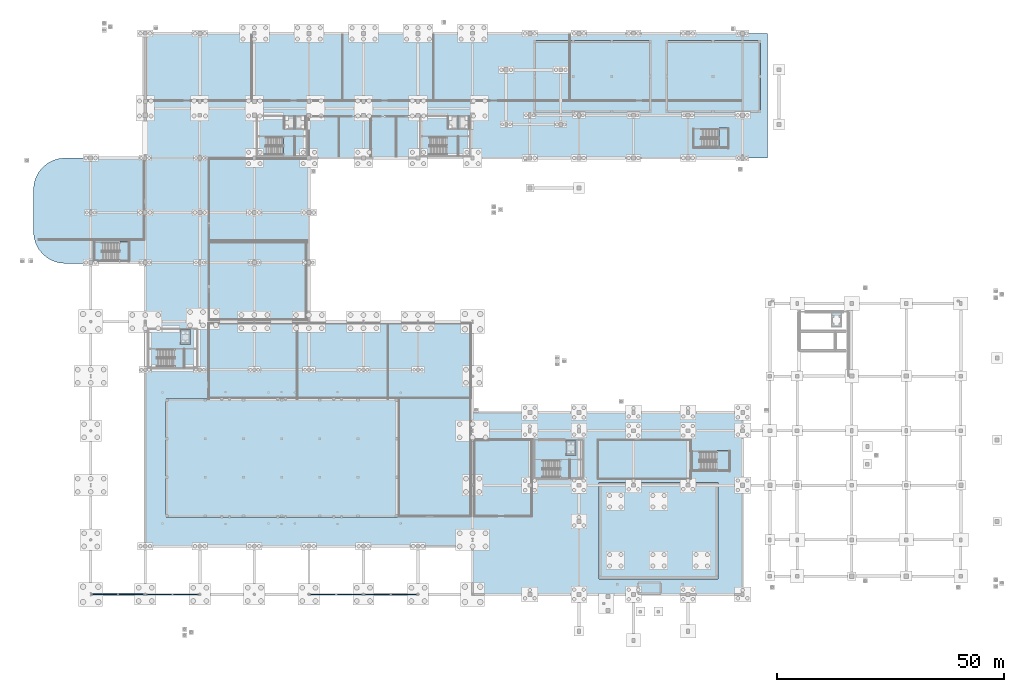
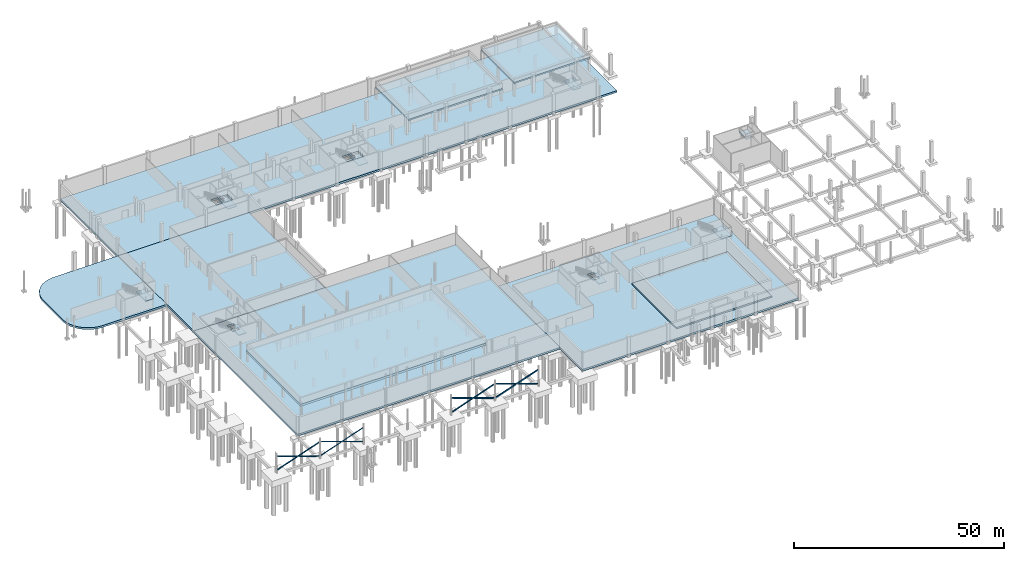
# One storey, part 25 of 42: 21 slabs, 12 members, 7 elements without a shape of their own.
"""IFC4 building model written with IfcOpenShell, lengths in metres."""

from ifc_helpers import new_model, si_unit, direction, frame, origin, origin_2d, place, context, subcontext, project, spatial, polyline, hollow_rectangle, i_section, outline, extrude, material, layer, layer_set, material_profile, profile_set, type_object, element, aggregate, save


model = new_model("IFC4")

# Units and contexts
model_context = context("Model", 3, precision=1e-05, world=origin(), true_north=direction((0.0, 1.0)))
body_context = subcontext(model_context, "Body", "Model", "MODEL_VIEW")
ifc_project = project(units=[si_unit("LENGTHUNIT", "METRE"), si_unit("AREAUNIT", "SQUARE_METRE"), si_unit("VOLUMEUNIT", "CUBIC_METRE"), si_unit("PLANEANGLEUNIT", "RADIAN"), si_unit("MASSUNIT", "GRAM", prefix="KILO"), si_unit("THERMODYNAMICTEMPERATUREUNIT", "KELVIN"), si_unit("POWERUNIT", "WATT")], contexts=[model_context])

# Site, building, storey
site_placement = place(None, origin())
site = spatial("IfcSite", under=ifc_project, at=site_placement, CompositionType="ELEMENT")
building_placement = place(site_placement, origin())
building = spatial("IfcBuilding", under=site, at=building_placement, Name="Solmara Park Aquatics Centre", CompositionType="ELEMENT")
storey_placement = place(building_placement, frame((0.0, 0.0, -5.39990234375)))
storey = spatial("IfcBuildingStorey", under=building, at=storey_placement, Name="B1", CompositionType="ELEMENT", Elevation=-5.39990234375)

# Members
ifc_material_1 = material(Name="Structural Steel S355", Category="steel")
ifc_material_profile_1 = material_profile(ifc_material_1, i_section(OverallWidth=0.260009765625, OverallDepth=0.25, WebThickness=0.007568359375, FlangeThickness=0.012451171875, FilletRadius=0.02392578125, at=origin_2d()), Name="HEA 260")
ifc_profile_set_1 = profile_set([ifc_material_profile_1], Name="Structural Steel S355")
member_type_1 = type_object("IfcMemberType", Name="STR-BRC-HEA260", PredefinedType="BRACE", material=ifc_profile_set_1)
member_1_placement = place(storey_placement, frame((60.840087890625, 12.60009765625, 0.199951171875), z_axis=(0.944673836555, 0.0, 0.328011192687), x_axis=(0.0, 1.0, 0.0)))
element("IfcMember", 1, at=member_1_placement, inside=storey, type_object=member_type_1, Name="Continuous X-Brace Diagonal BRC-07", PredefinedType="BRACE", context=body_context, shape_type="SweptSolid", body=[
    extrude(i_section(OverallWidth=0.260009765625, OverallDepth=0.25, WebThickness=0.007568359375, FlangeThickness=0.012451171875, FilletRadius=0.02392578125, at=origin_2d()), origin(), (0.0, 0.0, 1.0), 12.19482421875),
])
member_2_placement = place(storey_placement, frame((72.360107421875, 12.60009765625, 0.199951171875), z_axis=(-0.944680457296, 0.0, 0.327992124299), x_axis=(0.0, -1.0, 0.0)))
element("IfcMember", 2, at=member_2_placement, inside=storey, type_object=member_type_1, Name="Split X-Brace Lower Segment BRC-08", PredefinedType="BRACE", context=body_context, shape_type="SweptSolid", body=[
    extrude(i_section(OverallWidth=0.260009765625, OverallDepth=0.25, WebThickness=0.007568359375, FlangeThickness=0.012451171875, FilletRadius=0.02392578125, at=origin_2d()), origin(), (0.0, 0.0, 1.0), 5.87744140625),
])
member_3_placement = place(storey_placement, frame((66.39208984375, 12.60009765625, 2.272216796875), z_axis=(-0.944675988314, 0.0, 0.328004995547), x_axis=(0.0, -1.0, 0.0)))
element("IfcMember", 3, at=member_3_placement, inside=storey, type_object=member_type_1, Name="Split X-Brace Upper Segment BRC-09", PredefinedType="BRACE", context=body_context, shape_type="SweptSolid", body=[
    extrude(i_section(OverallWidth=0.260009765625, OverallDepth=0.25, WebThickness=0.007568359375, FlangeThickness=0.012451171875, FilletRadius=0.02392578125, at=origin_2d()), origin(), (0.0, 0.0, 1.0), 5.877197265625),
])
ifc_material_profile_2 = material_profile(ifc_material_1, hollow_rectangle(XDim=0.14990234375, YDim=0.25, WallThickness=0.010009765625, InnerFilletRadius=0.010009765625, OuterFilletRadius=0.02001953125, at=origin_2d()), Name="RHS 250x150x10")
ifc_profile_set_2 = profile_set([ifc_material_profile_2], Name="Structural Steel S355")
member_type_2 = type_object("IfcMemberType", Name="STR-BRC-RHS250", PredefinedType="BRACE", material=ifc_profile_set_2)
member_4_placement = place(storey_placement, frame((24.840087890625, 12.60009765625, 0.199951171875), z_axis=(0.944673836555, 0.0, 0.328011192687), x_axis=(0.0, 1.0, 0.0)))
element("IfcMember", 4, at=member_4_placement, inside=storey, type_object=member_type_2, Name="Continuous X-Brace Diagonal BRC-04", PredefinedType="BRACE", context=body_context, shape_type="SweptSolid", body=[
    extrude(hollow_rectangle(XDim=0.14990234375, YDim=0.25, WallThickness=0.010009765625, InnerFilletRadius=0.010009765625, OuterFilletRadius=0.02001953125, at=origin_2d()), origin(), (0.0, 0.0, 1.0), 12.19482421875),
])
member_5_placement = place(storey_placement, frame((36.360107421875, 12.60009765625, 0.199951171875), z_axis=(-0.944680457296, 0.0, 0.327992124299), x_axis=(0.0, -1.0, 0.0)))
element("IfcMember", 5, at=member_5_placement, inside=storey, type_object=member_type_2, Name="Split X-Brace Lower Segment BRC-05", PredefinedType="BRACE", context=body_context, shape_type="SweptSolid", body=[
    extrude(hollow_rectangle(XDim=0.14990234375, YDim=0.25, WallThickness=0.010009765625, InnerFilletRadius=0.010009765625, OuterFilletRadius=0.02001953125, at=origin_2d()), origin(), (0.0, 0.0, 1.0), 5.87744140625),
])
member_6_placement = place(storey_placement, frame((30.39208984375, 12.60009765625, 2.272216796875), z_axis=(-0.944675988314, 0.0, 0.328004995547), x_axis=(0.0, -1.0, 0.0)))
element("IfcMember", 6, at=member_6_placement, inside=storey, type_object=member_type_2, Name="Split X-Brace Upper Segment BRC-06", PredefinedType="BRACE", context=body_context, shape_type="SweptSolid", body=[
    extrude(hollow_rectangle(XDim=0.14990234375, YDim=0.25, WallThickness=0.010009765625, InnerFilletRadius=0.010009765625, OuterFilletRadius=0.02001953125, at=origin_2d()), origin(), (0.0, 0.0, 1.0), 5.877197265625),
])
ifc_material_profile_3 = material_profile(ifc_material_1, hollow_rectangle(XDim=0.199951171875, YDim=0.300048828125, WallThickness=0.012451171875, InnerFilletRadius=0.012451171875, OuterFilletRadius=0.02490234375, at=origin_2d()), Name="RHS 300x200x12.5")
ifc_profile_set_3 = profile_set([ifc_material_profile_3], Name="Structural Steel S355")
member_type_3 = type_object("IfcMemberType", Name="STR-BRC-RHS300", PredefinedType="BRACE", material=ifc_profile_set_3)
member_7_placement = place(storey_placement, frame((12.840087890625, 12.60009765625, 0.199951171875), z_axis=(0.944673836555, 0.0, 0.328011192687), x_axis=(0.0, 1.0, 0.0)))
element("IfcMember", 7, at=member_7_placement, inside=storey, type_object=member_type_3, Name="Continuous X-Brace Diagonal BRC-01", PredefinedType="BRACE", context=body_context, shape_type="SweptSolid", body=[
    extrude(hollow_rectangle(XDim=0.199951171875, YDim=0.300048828125, WallThickness=0.012451171875, InnerFilletRadius=0.012451171875, OuterFilletRadius=0.02490234375, at=origin_2d()), origin(), (0.0, 0.0, 1.0), 12.19482421875),
])
member_8_placement = place(storey_placement, frame((24.360107421875, 12.60009765625, 0.199951171875), z_axis=(-0.944680457296, 0.0, 0.327992124299), x_axis=(0.0, -1.0, 0.0)))
element("IfcMember", 8, at=member_8_placement, inside=storey, type_object=member_type_3, Name="Split X-Brace Lower Segment BRC-02", PredefinedType="BRACE", context=body_context, shape_type="SweptSolid", body=[
    extrude(hollow_rectangle(XDim=0.199951171875, YDim=0.300048828125, WallThickness=0.012451171875, InnerFilletRadius=0.012451171875, OuterFilletRadius=0.02490234375, at=origin_2d()), origin(), (0.0, 0.0, 1.0), 5.87744140625),
])
member_9_placement = place(storey_placement, frame((18.39208984375, 12.60009765625, 2.272216796875), z_axis=(-0.944675988314, 0.0, 0.328004995547), x_axis=(0.0, -1.0, 0.0)))
element("IfcMember", 9, at=member_9_placement, inside=storey, type_object=member_type_3, Name="Split X-Brace Upper Segment BRC-03", PredefinedType="BRACE", context=body_context, shape_type="SweptSolid", body=[
    extrude(hollow_rectangle(XDim=0.199951171875, YDim=0.300048828125, WallThickness=0.012451171875, InnerFilletRadius=0.012451171875, OuterFilletRadius=0.02490234375, at=origin_2d()), origin(), (0.0, 0.0, 1.0), 5.877197265625),
])
ifc_material_profile_4 = material_profile(ifc_material_1, hollow_rectangle(XDim=0.25, YDim=0.35009765625, WallThickness=0.012451171875, InnerFilletRadius=0.012451171875, OuterFilletRadius=0.02490234375, at=origin_2d()), Name="RHS 350x250x12.5")
ifc_profile_set_4 = profile_set([ifc_material_profile_4], Name="Structural Steel S355")
member_type_4 = type_object("IfcMemberType", Name="STR-BRC-RHS350", PredefinedType="BRACE", material=ifc_profile_set_4)
member_10_placement = place(storey_placement, frame((72.840087890625, 12.60009765625, 0.199951171875), z_axis=(0.944673836555, 0.0, 0.328011192687), x_axis=(0.0, 1.0, 0.0)))
element("IfcMember", 10, at=member_10_placement, inside=storey, type_object=member_type_4, Name="Continuous X-Brace Diagonal BRC-10", PredefinedType="BRACE", context=body_context, shape_type="SweptSolid", body=[
    extrude(hollow_rectangle(XDim=0.25, YDim=0.35009765625, WallThickness=0.012451171875, InnerFilletRadius=0.012451171875, OuterFilletRadius=0.02490234375, at=origin_2d()), origin(), (0.0, 0.0, 1.0), 12.19482421875),
])
member_11_placement = place(storey_placement, frame((84.360107421875, 12.60009765625, 0.199951171875), z_axis=(-0.944680457296, 0.0, 0.327992124299), x_axis=(0.0, -1.0, 0.0)))
element("IfcMember", 11, at=member_11_placement, inside=storey, type_object=member_type_4, Name="Split X-Brace Lower Segment BRC-11", PredefinedType="BRACE", context=body_context, shape_type="SweptSolid", body=[
    extrude(hollow_rectangle(XDim=0.25, YDim=0.35009765625, WallThickness=0.012451171875, InnerFilletRadius=0.012451171875, OuterFilletRadius=0.02490234375, at=origin_2d()), origin(), (0.0, 0.0, 1.0), 5.87744140625),
])
member_12_placement = place(storey_placement, frame((78.39208984375, 12.60009765625, 2.272216796875), z_axis=(-0.944675988314, 0.0, 0.328004995547), x_axis=(0.0, -1.0, 0.0)))
element("IfcMember", 12, at=member_12_placement, inside=storey, type_object=member_type_4, Name="Split X-Brace Upper Segment BRC-12", PredefinedType="BRACE", context=body_context, shape_type="SweptSolid", body=[
    extrude(hollow_rectangle(XDim=0.25, YDim=0.35009765625, WallThickness=0.012451171875, InnerFilletRadius=0.012451171875, OuterFilletRadius=0.02490234375, at=origin_2d()), origin(), (0.0, 0.0, 1.0), 5.877197265625),
])

# Stair, slab
ifc_material_2 = material(Name="Concrete C40/50", Category="concrete")
stair_type_1 = type_object("IfcStairType", Name="ARC-ST-CORE", PredefinedType="HALF_TURN_STAIR", material=ifc_material_2)
stair_1_placement = place(storey_placement, origin())
stair_1 = element("IfcStair", 13, at=stair_1_placement, inside=storey, type_object=stair_type_1, Name="ST-01 Protected Exit Stair (B1 to L00)", PredefinedType="HALF_TURN_STAIR")
ifc_layer_1 = layer(ifc_material_2, 0.219970703125, Name="Concrete C40/50")
ifc_layer_set_1 = layer_set([ifc_layer_1], Name="Concrete C40/50")
slab_type_1 = type_object("IfcSlabType", Name="ARC-SLB-LND220", PredefinedType="LANDING", material=ifc_layer_set_1)
slab_1_placement = place(storey_placement, frame((0.0, 0.0, 2.47998046875)))
slab_1 = element("IfcSlab", 14, at=slab_1_placement, type_object=slab_type_1, Name="ST-01 landing 1", PredefinedType="LANDING", context=body_context, shape_type="SweptSolid", body=[
    extrude(outline(polyline([(54.985107421875, 109.030029296875), (57.47998046875, 109.030029296875), (57.47998046875, 113.3701171875), (54.985107421875, 113.3701171875), (54.985107421875, 109.030029296875)])), origin(), (0.0, 0.0, 1.0), 0.219970703125),
])
aggregate(stair_1, [slab_1])

stair_2_placement = place(storey_placement, origin())
stair_2 = element("IfcStair", 15, at=stair_2_placement, inside=storey, type_object=stair_type_1, Name="ST-02 Protected Exit Stair (B1 to L00)", PredefinedType="HALF_TURN_STAIR")
slab_2_placement = place(storey_placement, frame((0.0, 0.0, 2.47998046875)))
slab_2 = element("IfcSlab", 16, at=slab_2_placement, type_object=slab_type_1, Name="ST-02 landing 1", PredefinedType="LANDING", context=body_context, shape_type="SweptSolid", body=[
    extrude(outline(polyline([(90.985107421875, 109.030029296875), (93.47998046875, 109.030029296875), (93.47998046875, 113.3701171875), (90.985107421875, 113.3701171875), (90.985107421875, 109.030029296875)])), origin(), (0.0, 0.0, 1.0), 0.219970703125),
])
aggregate(stair_2, [slab_2])

stair_3_placement = place(storey_placement, origin())
stair_3 = element("IfcStair", 17, at=stair_3_placement, inside=storey, type_object=stair_type_1, Name="ST-03 Protected Exit Stair (B1 to L00)", PredefinedType="HALF_TURN_STAIR")
slab_3_placement = place(storey_placement, frame((0.0, 0.0, 2.47998046875)))
slab_3 = element("IfcSlab", 18, at=slab_3_placement, type_object=slab_type_1, Name="ST-03 landing 1", PredefinedType="LANDING", context=body_context, shape_type="SweptSolid", body=[
    extrude(outline(polyline([(115.885009765625, 38.030029296875), (117.97998046875, 38.030029296875), (117.97998046875, 42.27001953125), (115.885009765625, 42.27001953125), (115.885009765625, 38.030029296875)])), origin(), (0.0, 0.0, 1.0), 0.219970703125),
])
aggregate(stair_3, [slab_3])

stair_4_placement = place(storey_placement, origin())
stair_4 = element("IfcStair", 19, at=stair_4_placement, inside=storey, type_object=stair_type_1, Name="ST-04 Protected Exit Stair (B1 to L00)", PredefinedType="HALF_TURN_STAIR")
slab_4_placement = place(storey_placement, frame((0.0, 0.0, 2.47998046875)))
slab_4 = element("IfcSlab", 20, at=slab_4_placement, type_object=slab_type_1, Name="ST-04 landing 1", PredefinedType="LANDING", context=body_context, shape_type="SweptSolid", body=[
    extrude(outline(polyline([(31.0849609375, 62.429931640625), (33.179931640625, 62.429931640625), (33.179931640625, 66.669921875), (31.0849609375, 66.669921875), (31.0849609375, 62.429931640625)])), origin(), (0.0, 0.0, 1.0), 0.219970703125),
])
aggregate(stair_4, [slab_4])

stair_type_2 = type_object("IfcStairType", Name="ARC-ST-ESC", PredefinedType="HALF_TURN_STAIR", material=ifc_material_2)
stair_5_placement = place(storey_placement, origin())
stair_5 = element("IfcStair", 21, at=stair_5_placement, inside=storey, type_object=stair_type_2, Name="East Wellness Escape Stair ST-07 (B1-L00)", PredefinedType="HALF_TURN_STAIR")
slab_5_placement = place(storey_placement, frame((0.0, 0.0, 2.47998046875)))
slab_5 = element("IfcSlab", 22, at=slab_5_placement, type_object=slab_type_1, Name="ST-07 landing 1", PredefinedType="LANDING", context=body_context, shape_type="SweptSolid", body=[
    extrude(outline(polyline([(150.784912109375, 110.6298828125), (152.8798828125, 110.6298828125), (152.8798828125, 115.169921875), (150.784912109375, 115.169921875), (150.784912109375, 110.6298828125)])), origin(), (0.0, 0.0, 1.0), 0.219970703125),
])
aggregate(stair_5, [slab_5])

stair_6_placement = place(storey_placement, origin())
stair_6 = element("IfcStair", 23, at=stair_6_placement, inside=storey, type_object=stair_type_2, Name="West Changing Escape Stair ST-08 (B1-L00)", PredefinedType="HALF_TURN_STAIR")
slab_6_placement = place(storey_placement, frame((0.0, 0.0, 2.47998046875)))
slab_6 = element("IfcSlab", 24, at=slab_6_placement, type_object=slab_type_1, Name="ST-08 landing 1", PredefinedType="LANDING", context=body_context, shape_type="SweptSolid", body=[
    extrude(outline(polyline([(18.985107421875, 85.719970703125), (21.080078125, 85.719970703125), (21.080078125, 90.219970703125), (18.985107421875, 90.219970703125), (18.985107421875, 85.719970703125)])), origin(), (0.0, 0.0, 1.0), 0.219970703125),
])
aggregate(stair_6, [slab_6])

stair_7_placement = place(storey_placement, origin())
stair_7 = element("IfcStair", 25, at=stair_7_placement, inside=storey, type_object=stair_type_2, Name="Diving Pavilion Escape Stair ST-09 (B1-L00)", PredefinedType="HALF_TURN_STAIR")
slab_7_placement = place(storey_placement, frame((0.0, 0.0, 2.47998046875)))
slab_7 = element("IfcSlab", 26, at=slab_7_placement, type_object=slab_type_1, Name="ST-09 landing 1", PredefinedType="LANDING", context=body_context, shape_type="SweptSolid", body=[
    extrude(outline(polyline([(150.385009765625, 39.580078125), (153.179931640625, 39.580078125), (153.179931640625, 44.219970703125), (150.385009765625, 44.219970703125), (150.385009765625, 39.580078125)])), origin(), (0.0, 0.0, 1.0), 0.219970703125),
])
aggregate(stair_7, [slab_7])

# Slabs
ifc_material_3 = material(Name="Watertight Concrete C45/55", Category="concrete")
ifc_layer_2 = layer(ifc_material_3, 0.550048828125, Name="Watertight Concrete C45/55")
ifc_layer_set_2 = layer_set([ifc_layer_2], Name="Watertight Concrete C45/55")
slab_type_2 = type_object("IfcSlabType", Name="STR-SLB-MAT550", PredefinedType="BASESLAB", material=ifc_layer_set_2)
slab_8_placement = place(storey_placement, frame((0.0, 0.0, -0.550048828125)))
element("IfcSlab", 27, at=slab_8_placement, inside=storey, type_object=slab_type_2, Name="Basement Mat Slab SLB-B1-V1", PredefinedType="BASESLAB", context=body_context, shape_type="SweptSolid", body=[
    extrude(outline(polyline([(24.60009765625, 23.199951171875), (96.60009765625, 23.199951171875), (96.60009765625, 72.60009765625), (24.60009765625, 72.60009765625), (24.60009765625, 23.199951171875)]), holes=[polyline([(32.52001953125, 67.800048828125), (34.35009765625, 67.800048828125), (34.35009765625, 70.60009765625), (32.52001953125, 70.60009765625), (32.52001953125, 67.800048828125)])]), origin(), (0.0, 0.0, 1.0), 0.550048828125),
])
slab_9_placement = place(storey_placement, frame((0.0, 0.0, -0.550048828125)))
element("IfcSlab", 28, at=slab_9_placement, inside=storey, type_object=slab_type_2, Name="Basement Mat Slab SLB-B1-V2", PredefinedType="BASESLAB", context=body_context, shape_type="SweptSolid", body=[
    extrude(outline(polyline([(96.60009765625, 12.60009765625), (156.0, 12.60009765625), (156.0, 52.60009765625), (96.60009765625, 52.60009765625), (96.60009765625, 12.60009765625)]), holes=[polyline([(124.39990234375, 16.0), (150.60009765625, 16.0), (150.60009765625, 37.199951171875), (124.39990234375, 37.199951171875), (124.39990234375, 16.0)]), polyline([(117.320068359375, 43.39990234375), (119.14990234375, 43.39990234375), (119.14990234375, 46.199951171875), (117.320068359375, 46.199951171875), (117.320068359375, 43.39990234375)])]), origin(), (0.0, 0.0, 1.0), 0.550048828125),
])
slab_10_placement = place(storey_placement, frame((0.0, 0.0, -0.550048828125)))
element("IfcSlab", 29, at=slab_10_placement, inside=storey, type_object=slab_type_2, Name="Basement Mat Slab SLB-B1-V4", PredefinedType="BASESLAB", context=body_context, shape_type="SweptSolid", body=[
    extrude(outline(polyline([(0.0, 92.39990234375), (0.134521484375, 91.034423828125), (0.53271484375, 89.72119140625), (1.1796875, 88.510986328125), (2.05029296875, 87.4501953125), (3.111083984375, 86.57958984375), (4.3212890625, 85.932861328125), (5.634521484375, 85.534423828125), (7.0, 85.39990234375), (24.60009765625, 85.39990234375), (24.60009765625, 108.60009765625), (7.0, 108.60009765625), (5.634521484375, 108.465576171875), (4.3212890625, 108.067138671875), (3.111083984375, 107.42041015625), (2.05029296875, 106.5498046875), (1.1796875, 105.489013671875), (0.53271484375, 104.27880859375), (0.134521484375, 102.965576171875), (0.0, 101.60009765625), (0.0, 92.39990234375)])), origin(), (0.0, 0.0, 1.0), 0.550048828125),
])
slab_11_placement = place(storey_placement, frame((0.0, 0.0, -0.550048828125)))
element("IfcSlab", 30, at=slab_11_placement, inside=storey, type_object=slab_type_2, Name="Basement Mat Slab SLB-B1-V4B", PredefinedType="BASESLAB", context=body_context, shape_type="SweptSolid", body=[
    extrude(outline(polyline([(24.60009765625, 72.60009765625), (60.60009765625, 72.60009765625), (60.60009765625, 108.60009765625), (24.60009765625, 108.60009765625), (24.60009765625, 72.60009765625)])), origin(), (0.0, 0.0, 1.0), 0.550048828125),
])
slab_12_placement = place(storey_placement, frame((0.0, 0.0, -0.550048828125)))
element("IfcSlab", 31, at=slab_12_placement, inside=storey, type_object=slab_type_2, Name="Basement Mat Slab SLB-B1-V5", PredefinedType="BASESLAB", context=body_context, shape_type="SweptSolid", body=[
    extrude(outline(polyline([(24.60009765625, 108.60009765625), (161.5, 108.60009765625), (161.5, 136.0), (24.60009765625, 136.0), (24.60009765625, 108.60009765625)]), holes=[polyline([(55.300048828125, 115.10009765625), (57.25, 115.10009765625), (57.25, 117.64990234375), (55.300048828125, 117.64990234375), (55.300048828125, 115.10009765625)]), polyline([(57.60009765625, 115.10009765625), (59.75, 115.10009765625), (59.75, 117.64990234375), (57.60009765625, 117.64990234375), (57.60009765625, 115.10009765625)]), polyline([(91.300048828125, 115.10009765625), (93.25, 115.10009765625), (93.25, 117.64990234375), (91.300048828125, 117.64990234375), (91.300048828125, 115.10009765625)]), polyline([(93.60009765625, 115.10009765625), (95.75, 115.10009765625), (95.75, 117.64990234375), (93.60009765625, 117.64990234375), (93.60009765625, 115.10009765625)])]), origin(), (0.0, 0.0, 1.0), 0.550048828125),
])
ifc_layer_3 = layer(ifc_material_3, 0.35009765625, Name="Watertight Concrete C45/55")
ifc_layer_set_3 = layer_set([ifc_layer_3], Name="Watertight Concrete C45/55")
slab_type_3 = type_object("IfcSlabType", Name="STR-SLB-PIT350", PredefinedType="BASESLAB", material=ifc_layer_set_3)
slab_13_placement = place(storey_placement, frame((0.0, 0.0, -1.9501953125)))
element("IfcSlab", 32, at=slab_13_placement, inside=storey, type_object=slab_type_3, Name="Lift Shaft LF-01 and LF-02 Pit Base Slab (-7.000m)", PredefinedType="BASESLAB", context=body_context, shape_type="SweptSolid", body=[
    extrude(outline(polyline([(55.070068359375, 114.8701171875), (59.97998046875, 114.8701171875), (59.97998046875, 117.8798828125), (55.070068359375, 117.8798828125), (55.070068359375, 114.8701171875)])), origin(), (0.0, 0.0, 1.0), 0.35009765625),
])
slab_14_placement = place(storey_placement, frame((0.0, 0.0, -1.9501953125)))
element("IfcSlab", 33, at=slab_14_placement, inside=storey, type_object=slab_type_3, Name="Lift Shaft LF-03 and LF-04 Pit Base Slab (-7.000m)", PredefinedType="BASESLAB", context=body_context, shape_type="SweptSolid", body=[
    extrude(outline(polyline([(91.070068359375, 114.8701171875), (95.97998046875, 114.8701171875), (95.97998046875, 117.8798828125), (91.070068359375, 117.8798828125), (91.070068359375, 114.8701171875)])), origin(), (0.0, 0.0, 1.0), 0.35009765625),
])
slab_15_placement = place(storey_placement, frame((0.0, 0.0, -1.9501953125)))
element("IfcSlab", 34, at=slab_15_placement, inside=storey, type_object=slab_type_3, Name="Lift Shaft LF-05 Pit Base Slab (-7.000m)", PredefinedType="BASESLAB", context=body_context, shape_type="SweptSolid", body=[
    extrude(outline(polyline([(117.1201171875, 43.169921875), (119.3798828125, 43.169921875), (119.3798828125, 46.429931640625), (117.1201171875, 46.429931640625), (117.1201171875, 43.169921875)])), origin(), (0.0, 0.0, 1.0), 0.35009765625),
])
slab_16_placement = place(storey_placement, frame((0.0, 0.0, -1.9501953125)))
element("IfcSlab", 35, at=slab_16_placement, inside=storey, type_object=slab_type_3, Name="Lift Shaft LF-06 Pit Base Slab (-7.000m)", PredefinedType="BASESLAB", context=body_context, shape_type="SweptSolid", body=[
    extrude(outline(polyline([(32.320068359375, 67.570068359375), (34.580078125, 67.570068359375), (34.580078125, 70.830078125), (32.320068359375, 70.830078125), (32.320068359375, 67.570068359375)])), origin(), (0.0, 0.0, 1.0), 0.35009765625),
])
ifc_layer_4 = layer(ifc_material_3, 0.449951171875, Name="Watertight Concrete C45/55")
ifc_layer_set_4 = layer_set([ifc_layer_4], Name="Watertight Concrete C45/55")
slab_type_4 = type_object("IfcSlabType", Name="STR-SLB-POOL450", PredefinedType="BASESLAB", material=ifc_layer_set_4)
slab_17_placement = place(storey_placement, frame((0.0, 0.0, 3.349853515625)))
element("IfcSlab", 36, at=slab_17_placement, inside=storey, type_object=slab_type_4, Name="Lift Shaft LF-07 Pit Base Slab (-1.600m)", PredefinedType="BASESLAB", context=body_context, shape_type="SweptSolid", body=[
    extrude(outline(polyline([(175.5, 71.35009765625), (177.800048828125, 71.35009765625), (177.800048828125, 74.64990234375), (175.5, 74.64990234375), (175.5, 71.35009765625)])), origin(), (0.0, 0.0, 1.0), 0.449951171875),
])
slab_18_placement = place(storey_placement, frame((0.0, 0.0, 3.14990234375)))
element("IfcSlab", 37, at=slab_18_placement, inside=storey, type_object=slab_type_4, Name="25m Training Pool Base Slab", PredefinedType="BASESLAB", context=body_context, shape_type="SweptSolid", body=[
    extrude(outline(polyline([(110.10009765625, 118.60009765625), (135.89990234375, 118.60009765625), (135.89990234375, 134.39990234375), (110.10009765625, 134.39990234375), (110.10009765625, 118.60009765625)])), origin(), (0.0, 0.0, 1.0), 0.449951171875),
])
slab_19_placement = place(storey_placement, frame((0.0, 0.0, 3.75)))
element("IfcSlab", 38, at=slab_19_placement, inside=storey, type_object=slab_type_4, Name="Leisure and Hydrotherapy Pool Base Slab", PredefinedType="BASESLAB", context=body_context, shape_type="SweptSolid", body=[
    extrude(outline(polyline([(139.10009765625, 118.60009765625), (159.89990234375, 118.60009765625), (159.89990234375, 134.39990234375), (139.10009765625, 134.39990234375), (139.10009765625, 118.60009765625)])), origin(), (0.0, 0.0, 1.0), 0.449951171875),
])
ifc_layer_5 = layer(ifc_material_3, 0.699951171875, Name="Watertight Concrete C45/55")
ifc_layer_set_5 = layer_set([ifc_layer_5], Name="Watertight Concrete C45/55")
slab_type_5 = type_object("IfcSlabType", Name="STR-SLB-POOL700", PredefinedType="BASESLAB", material=ifc_layer_set_5)
slab_20_placement = place(storey_placement, frame((0.0, 0.0, 2.5)))
element("IfcSlab", 39, at=slab_20_placement, inside=storey, type_object=slab_type_5, Name="50m Olympic Competition Pool Base Slab", PredefinedType="BASESLAB", context=body_context, shape_type="SweptSolid", body=[
    extrude(outline(polyline([(29.14990234375, 29.64990234375), (80.050048828125, 29.64990234375), (80.050048828125, 55.550048828125), (29.14990234375, 55.550048828125), (29.14990234375, 29.64990234375)])), origin(), (0.0, 0.0, 1.0), 0.699951171875),
])
slab_21_placement = place(storey_placement, frame((0.0, 0.0, -0.300048828125)))
element("IfcSlab", 40, at=slab_21_placement, inside=storey, type_object=slab_type_5, Name="Diving Well Pool Base Slab", PredefinedType="BASESLAB", context=body_context, shape_type="SweptSolid", body=[
    extrude(outline(polyline([(124.39990234375, 16.0), (150.60009765625, 16.0), (150.60009765625, 37.199951171875), (124.39990234375, 37.199951171875), (124.39990234375, 16.0)])), origin(), (0.0, 0.0, 1.0), 0.699951171875),
])

save(model, "model.ifc")
